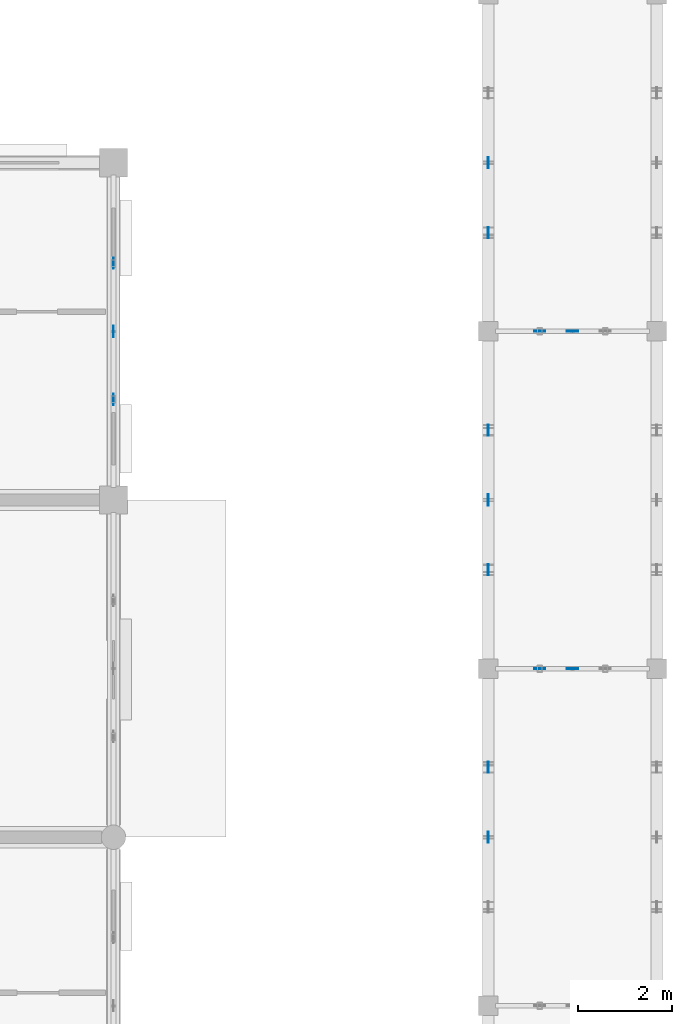
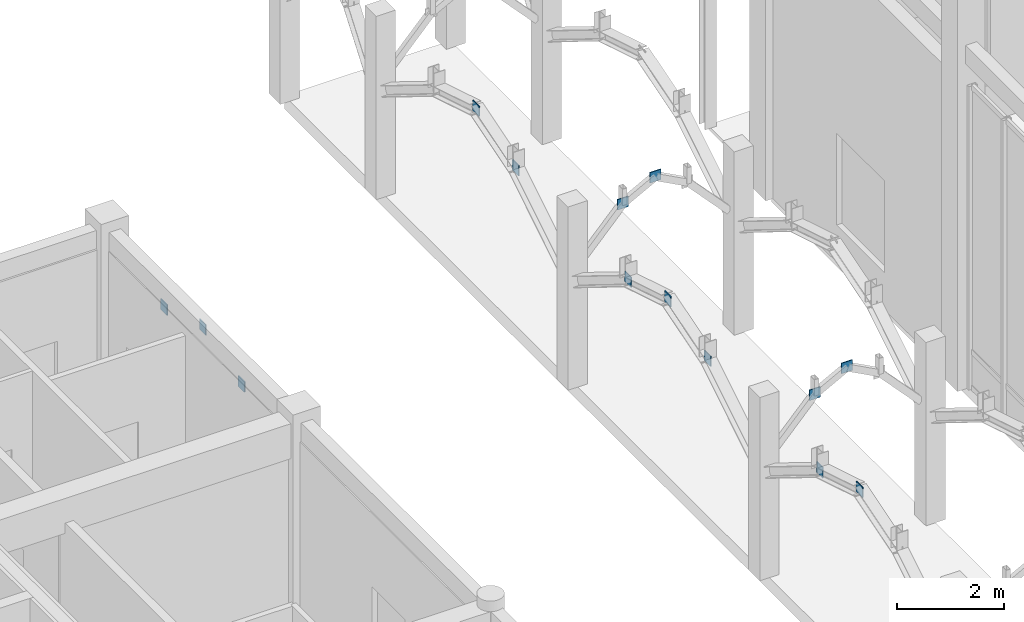
# One storey, part 79 of 138: 14 plates.
"""IFC4 building model written with IfcOpenShell, lengths in metres."""

from ifc_helpers import new_model, si_unit, direction, frame, origin, origin_2d, place, context, subcontext, project, spatial, rectangle, extrude, material, layer, layer_set, type_object, element, save


model = new_model("IFC4")

# Units and contexts
model_context = context("Model", 3, precision=1e-05, world=origin(), true_north=direction((0.0, 1.0)))
body_context = subcontext(model_context, "Body", "Model", "MODEL_VIEW")
ifc_project = project(units=[si_unit("LENGTHUNIT", "METRE"), si_unit("AREAUNIT", "SQUARE_METRE"), si_unit("VOLUMEUNIT", "CUBIC_METRE"), si_unit("PLANEANGLEUNIT", "RADIAN"), si_unit("MASSUNIT", "GRAM", prefix="KILO"), si_unit("THERMODYNAMICTEMPERATUREUNIT", "KELVIN"), si_unit("POWERUNIT", "WATT")], contexts=[model_context])

# Site, building, storey
site_placement = place(None, origin())
site = spatial("IfcSite", under=ifc_project, at=site_placement, CompositionType="ELEMENT")
building_placement = place(site_placement, origin())
building = spatial("IfcBuilding", under=site, at=building_placement, Name="Tavuni Mirador Residences", CompositionType="ELEMENT")
storey_placement = place(building_placement, origin())
storey = spatial("IfcBuildingStorey", under=building, at=storey_placement, Name="L00", CompositionType="ELEMENT", Elevation=0.0)

# Plates
ifc_material = material(Name="Structural steel S355", Category="steel")
ifc_layer = layer(ifc_material, 0.01806640625, Name="Structural steel S355", Category="steel")
ifc_layer_set = layer_set([ifc_layer], Name="Structural steel S355")
plate_type = type_object("IfcPlateType", Name="PLT-GP05", PredefinedType="USERDEFINED", material=ifc_layer_set)
for number, where, z_axis, x_axis, name in (
    (1, (34.30029296875, 90.0, 3.58740234375), (0.0, 0.0, 1.0), (1.0, 0.0, 0.0), "ARCH-COLO-T-05-GQ1"),
    (2, (35.0, 90.0, 3.9599609375), (0.0, 0.0, 1.0), (1.0, 0.0, 0.0), "ARCH-COLO-T-05-GCR"),
    (3, (34.30029296875, 97.199951171875, 3.58740234375), (0.0, 0.0, 1.0), (1.0, 0.0, 0.0), "ARCH-COLO-T-06-GQ1"),
    (4, (35.0, 97.199951171875, 3.9599609375), (0.0, 0.0, 1.0), (1.0, 0.0, 0.0), "ARCH-COLO-T-06-GCR"),
):
    element("IfcPlate", number, at=place(storey_placement, frame(where, z_axis=z_axis, x_axis=x_axis)), inside=storey, type_object=plate_type, Name=name, ObjectType="GUSSET PLATE", PredefinedType="USERDEFINED", context=body_context, shape_type="SweptSolid", body=[
        extrude(rectangle(XDim=0.239990234375, YDim=0.02001953125, at=origin_2d()), origin(), (0.0, 0.0, 1.0), 0.239990234375),
    ])
for number, where, z_axis, x_axis, name in (
    (5, (33.199951171875, 86.39990234375, 3.9599609375), (0.0, 0.0, 1.0), (1.0, 0.0, 0.0), "ARCH-COLO-W-04-GCR"),
    (6, (33.199951171875, 87.8916015625, 3.50341796875), (0.0, 0.0, 1.0), (1.0, 0.0, 0.0), "ARCH-COLO-W-04-GQ2"),
    (7, (33.199951171875, 92.1083984375, 3.50341796875), (0.0, 0.0, 1.0), (1.0, 0.0, 0.0), "ARCH-COLO-W-05-GQ1"),
    (8, (33.199951171875, 93.60009765625, 3.9599609375), (0.0, 0.0, 1.0), (1.0, 0.0, 0.0), "ARCH-COLO-W-05-GCR"),
    (9, (33.199951171875, 95.091552734375, 3.50341796875), (0.0, 0.0, 1.0), (1.0, 0.0, 0.0), "ARCH-COLO-W-05-GQ2"),
    (10, (33.199951171875, 99.308349609375, 3.50341796875), (0.0, 0.0, 1.0), (1.0, 0.0, 0.0), "ARCH-COLO-W-06-GQ1"),
    (11, (33.199951171875, 100.800048828125, 3.9599609375), (0.0, 0.0, 1.0), (1.0, 0.0, 0.0), "ARCH-COLO-W-06-GCR"),
    (12, (25.199951171875, 95.748046875, 3.509765625), (0.0, 0.0, 1.0), (1.0, 0.0, 0.0), "ARCH-BLKB-E-04-GQ1"),
    (13, (25.199951171875, 97.199951171875, 3.93017578125), (0.0, 0.0, 1.0), (1.0, 0.0, 0.0), "ARCH-BLKB-E-04-GCR"),
    (14, (25.199951171875, 98.652099609375, 3.509765625), (0.0, 0.0, 1.0), (1.0, 0.0, 0.0), "ARCH-BLKB-E-04-GQ2"),
):
    element("IfcPlate", number, at=place(storey_placement, frame(where, z_axis=z_axis, x_axis=x_axis)), inside=storey, type_object=plate_type, Name=name, ObjectType="GUSSET PLATE", PredefinedType="USERDEFINED", context=body_context, shape_type="SweptSolid", body=[
        extrude(rectangle(XDim=0.02001953125, YDim=0.239990234375, at=origin_2d()), origin(), (0.0, 0.0, 1.0), 0.239990234375),
    ])

save(model, "model.ifc")
